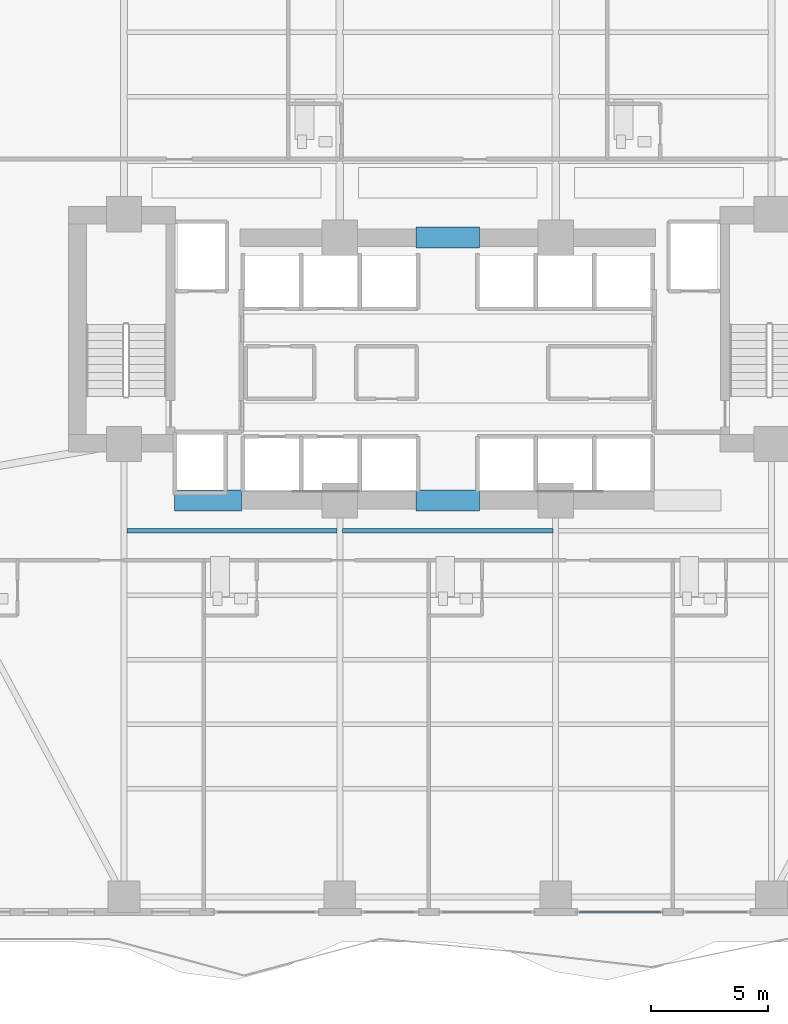
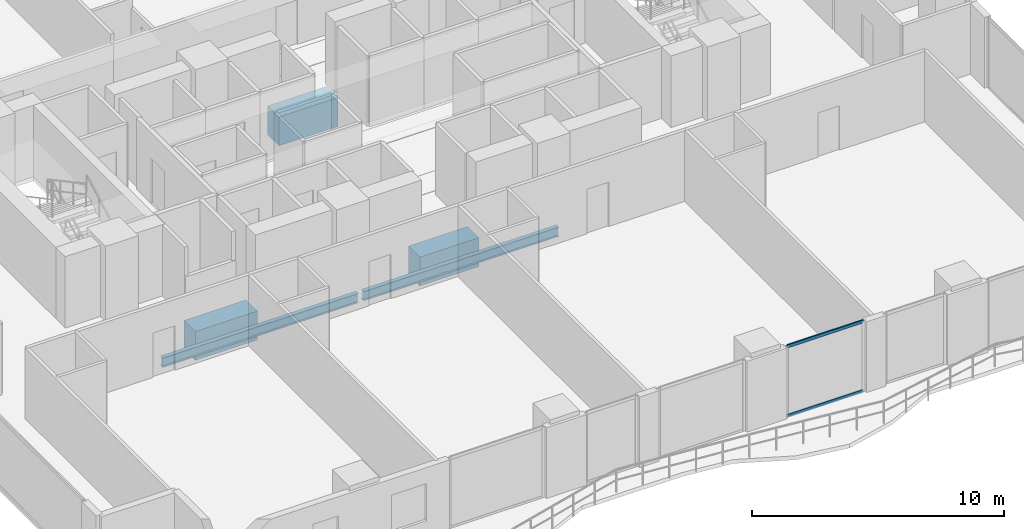
# One storey, part 8 of 28: 5 beams, 2 members, 1 element without a shape of its own.
"""IFC4 building model written with IfcOpenShell, lengths in metres."""

from ifc_helpers import new_model, si_unit, direction, frame, origin, origin_2d, place, context, subcontext, project, spatial, rectangle, hollow_rectangle, i_section, extrude, material, layer, layer_set, material_profile, profile_set, type_object, element, aggregate, save


model = new_model("IFC4")

# Units and contexts
model_context = context("Model", 3, precision=1e-05, world=origin(), true_north=direction((0.0, 1.0)))
body_context = subcontext(model_context, "Body", "Model", "MODEL_VIEW")
ifc_project = project(units=[si_unit("LENGTHUNIT", "METRE"), si_unit("AREAUNIT", "SQUARE_METRE"), si_unit("VOLUMEUNIT", "CUBIC_METRE"), si_unit("PLANEANGLEUNIT", "RADIAN"), si_unit("MASSUNIT", "GRAM", prefix="KILO")], contexts=[model_context])

# Site, building, storey
site_placement = place(None, origin())
site = spatial("IfcSite", under=ifc_project, at=site_placement, CompositionType="ELEMENT")
building_placement = place(site_placement, origin())
building = spatial("IfcBuilding", under=site, at=building_placement, Name="Zuhayl Quay Hotel", CompositionType="ELEMENT")
storey_placement = place(building_placement, frame((0.0, 0.0, 146.75)))
storey = spatial("IfcBuildingStorey", under=building, at=storey_placement, Name="L37", CompositionType="ELEMENT", Elevation=146.75)

# Beams
ifc_material_1 = material(Name="Concrete C60/75", Category="concrete")
ifc_material_profile_1 = material_profile(ifc_material_1, rectangle(XDim=0.89990234375, YDim=1.39990234375, at=origin_2d()), Name="RC900X1400")
ifc_profile_set_1 = profile_set([ifc_material_profile_1], Name="Concrete C60/75")
beam_type_1 = type_object("IfcBeamType", Name="BM_CB1_RC900", PredefinedType="T_BEAM", material=ifc_profile_set_1)
beam_placement = place(storey_placement, frame((-11.64990234375, 2.14990234375, -0.919921875), z_axis=(1.0, 0.0, 0.0), x_axis=(0.0, 1.0, 0.0)))
element("IfcBeam", 1, at=beam_placement, inside=storey, type_object=beam_type_1, Name="L37 Core Coupling Beam SW", PredefinedType="T_BEAM", context=body_context, shape_type="SweptSolid", body=[
    extrude(rectangle(XDim=0.89990234375, YDim=1.39990234375, at=origin_2d()), origin(), (0.0, 0.0, 1.0), 2.849853515625),
])
for number, where, z_axis, x_axis, name in (
    (2, (-1.35009765625, 13.35009765625, -0.919921875), (1.0, 0.0, 0.0), (0.0, 1.0, 0.0), "L37 Core Coupling Beam North"),
    (3, (-1.35009765625, 2.14990234375, -0.919921875), (1.0, 0.0, 0.0), (0.0, 1.0, 0.0), "L37 Core Coupling Beam South"),
):
    element("IfcBeam", number, at=place(storey_placement, frame(where, z_axis=z_axis, x_axis=x_axis)), inside=storey, type_object=beam_type_1, Name=name, PredefinedType="T_BEAM", context=body_context, shape_type="SweptSolid", body=[
        extrude(rectangle(XDim=0.89990234375, YDim=1.39990234375, at=origin_2d()), origin(), (0.0, 0.0, 1.0), 2.7001953125),
    ])
ifc_material_2 = material(Name="Steel ASTM A992 Grade 50", Category="steel")
ifc_material_profile_2 = material_profile(ifc_material_2, i_section(OverallWidth=0.18994140625, OverallDepth=0.45703125, WebThickness=0.009033203125, FlangeThickness=0.014404296875, at=origin_2d()), Name="W18X50")
ifc_profile_set_2 = profile_set([ifc_material_profile_2], Name="Steel ASTM A992 Grade 50")
beam_type_2 = type_object("IfcBeamType", Name="BM_J2_W18X50", PredefinedType="JOIST", material=ifc_profile_set_2)
for number, where, z_axis, x_axis, name in (
    (4, (-13.680908203125, 0.85009765625, -0.448486328125), (1.0, 0.0, 0.0), (0.0, 1.0, 0.0), "L37 Floor Beam FJ_L37_9_1"),
    (5, (-4.48095703125, 0.85009765625, -0.448486328125), (1.0, 0.0, 0.0), (0.0, 1.0, 0.0), "L37 Floor Beam FJ_L37_9_2"),
):
    element("IfcBeam", number, at=place(storey_placement, frame(where, z_axis=z_axis, x_axis=x_axis)), inside=storey, type_object=beam_type_2, Name=name, PredefinedType="JOIST", context=body_context, shape_type="SweptSolid", body=[
        extrude(i_section(OverallWidth=0.18994140625, OverallDepth=0.45703125, WebThickness=0.009033203125, FlangeThickness=0.014404296875, at=origin_2d()), origin(), (0.0, 0.0, 1.0), 8.9619140625),
    ])

# Curtain wall, members
ifc_material_3 = material(Name="Anodised Aluminium 6063-T6", Category="aluminium")
ifc_layer = layer(ifc_material_3, 0.179931640625, Name="Anodised Aluminium 6063-T6", Category="aluminium")
ifc_layer_set = layer_set([ifc_layer], Name="Anodised Aluminium 6063-T6")
curtain_wall_type = type_object("IfcCurtainWallType", Name="CW_SYS_Z2", PredefinedType="USERDEFINED", material=ifc_layer_set)
curtain_wall_placement = place(storey_placement, origin())
curtain_wall = element("IfcCurtainWall", 6, at=curtain_wall_placement, inside=storey, type_object=curtain_wall_type, Name="L37 Curtain Wall ENV_L37_S_CW3", ObjectType="UNITISED CURTAIN WALL", PredefinedType="USERDEFINED")
ifc_material_4 = material(Name="Black-anodised aluminium 6063-T6", Category="aluminium")
ifc_material_profile_3 = material_profile(ifc_material_4, hollow_rectangle(XDim=0.06005859375, YDim=0.14990234375, WallThickness=0.00341796875, at=origin_2d()), Name="ALU150X60")
ifc_profile_set_3 = profile_set([ifc_material_profile_3], Name="Black-anodised aluminium 6063-T6")
member_type = type_object("IfcMemberType", Name="MB_CW_TRN_150", PredefinedType="USERDEFINED", material=ifc_profile_set_3)
member_1_placement = place(storey_placement, frame((9.0849609375, -15.39990234375, 0.030029296875), z_axis=(-1.0, 0.0, 0.0), x_axis=(0.0, -1.0, 0.0)))
member_1 = element("IfcMember", 7, at=member_1_placement, type_object=member_type, Name="CW-Z2 transom 1.1", ObjectType="TRANSOM", PredefinedType="USERDEFINED", context=body_context, shape_type="SweptSolid", body=[
    extrude(hollow_rectangle(XDim=0.06005859375, YDim=0.14990234375, WallThickness=0.00341796875, at=origin_2d()), origin(), (0.0, 0.0, 1.0), 3.5),
])
member_2_placement = place(storey_placement, frame((9.0849609375, -15.39990234375, 3.39990234375), z_axis=(-1.0, 0.0, 0.0), x_axis=(0.0, -1.0, 0.0)))
member_2 = element("IfcMember", 8, at=member_2_placement, type_object=member_type, Name="CW-Z2 transom 1.2", ObjectType="TRANSOM", PredefinedType="USERDEFINED", context=body_context, shape_type="SweptSolid", body=[
    extrude(hollow_rectangle(XDim=0.06005859375, YDim=0.14990234375, WallThickness=0.00341796875, at=origin_2d()), origin(), (0.0, 0.0, 1.0), 3.5),
])
aggregate(curtain_wall, [member_1, member_2])

save(model, "model.ifc")
